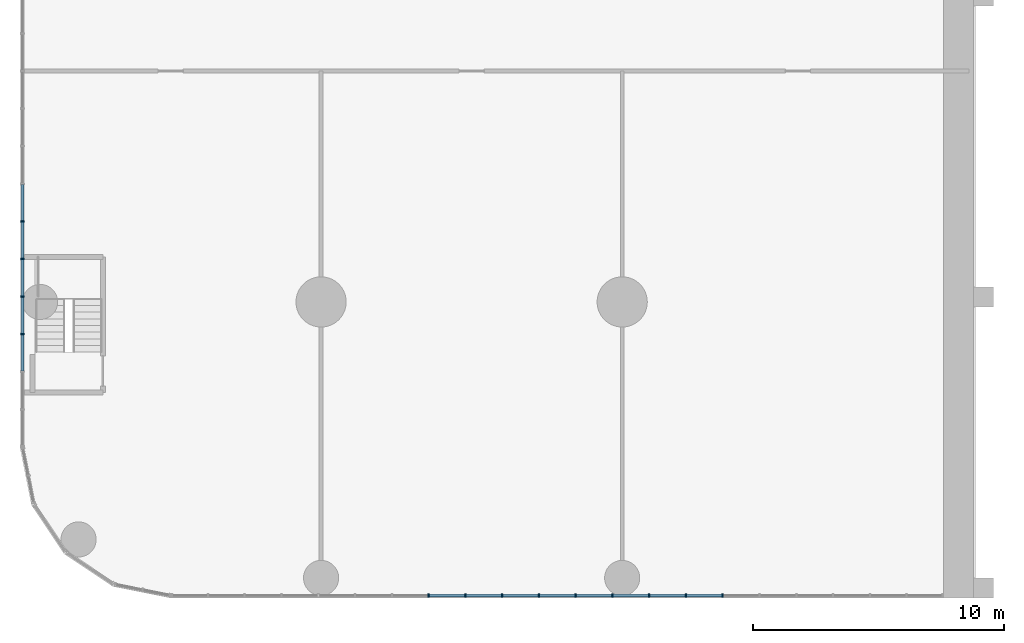
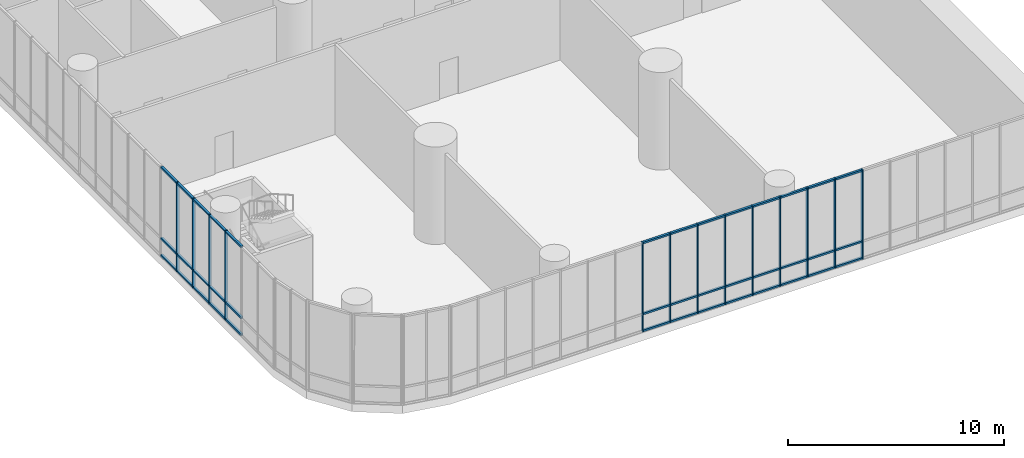
# One storey, part 3 of 28: 52 members, 2 elements without a shape of their own.
"""IFC4 building model written with IfcOpenShell, lengths in metres."""

from ifc_helpers import new_model, si_unit, direction, frame, origin, origin_2d, place, context, subcontext, project, spatial, rectangle, extrude, material, layer, layer_set, material_profile, profile_set, type_object, element, aggregate, save


model = new_model("IFC4")

# Units and contexts
model_context = context("Model", 3, precision=1e-05, world=origin(), true_north=direction((0.0, 1.0)))
body_context = subcontext(model_context, "Body", "Model", "MODEL_VIEW")
ifc_project = project(units=[si_unit("LENGTHUNIT", "METRE"), si_unit("AREAUNIT", "SQUARE_METRE"), si_unit("VOLUMEUNIT", "CUBIC_METRE"), si_unit("PLANEANGLEUNIT", "RADIAN"), si_unit("MASSUNIT", "GRAM", prefix="KILO")], contexts=[model_context])

# Site, building, storey
site_placement = place(None, origin())
site = spatial("IfcSite", under=ifc_project, at=site_placement, CompositionType="ELEMENT")
building_placement = place(site_placement, origin())
building = spatial("IfcBuilding", under=site, at=building_placement, Name="Torana Hotel and Residences", CompositionType="ELEMENT")
storey_placement = place(building_placement, frame((0.0, 0.0, 7.0)))
storey = spatial("IfcBuildingStorey", under=building, at=storey_placement, Name="L01", CompositionType="ELEMENT", Elevation=7.0)

# Curtain wall, members
ifc_material_1 = material(Name="Dark anodised aluminium", Category="aluminium")
ifc_layer = layer(ifc_material_1, 0.14990234375)
ifc_layer_set = layer_set([ifc_layer], Name="CW5 PODIUM UPPER UNITISED CURTAIN WALL")
curtain_wall_type = type_object("IfcCurtainWallType", Name="CW5 PODIUM UPPER UNITISED CURTAIN WALL", PredefinedType="NOTDEFINED", material=ifc_layer_set)
curtain_wall_1_placement = place(storey_placement, origin())
curtain_wall_1 = element("IfcCurtainWall", 1, at=curtain_wall_1_placement, inside=storey, type_object=curtain_wall_type, Name="Curtain wall CW5 L01 e0.0", PredefinedType="NOTDEFINED")
ifc_material_2 = material(Name="Dark anodised aluminium", Category="aluminium")
ifc_material_profile_1 = material_profile(ifc_material_2, rectangle(XDim=0.14990234375, YDim=0.06005859375, at=origin_2d()), Name="CW5 MULLION 60x150")
ifc_profile_set_1 = profile_set([ifc_material_profile_1], Name="Dark anodised aluminium")
member_type_1 = type_object("IfcMemberType", Name="CW5 MULLION 60x150", PredefinedType="MULLION", material=ifc_profile_set_1)
member_1_placement = place(storey_placement, frame((-31.717041015625, -39.89990234375, 0.0), z_axis=(0.0, 0.0, 1.0), x_axis=(0.0, 1.0, 0.0)))
member_1 = element("IfcMember", 2, at=member_1_placement, type_object=member_type_1, Name="CW5 mullion 8", PredefinedType="MULLION", context=body_context, shape_type="SweptSolid", body=[
    extrude(rectangle(XDim=0.14990234375, YDim=0.06005859375, at=origin_2d()), origin(), (0.0, 0.0, 1.0), 5.050048828125),
])
member_2_placement = place(storey_placement, frame((-30.25146484375, -39.89990234375, 0.0), z_axis=(0.0, 0.0, 1.0), x_axis=(0.0, 1.0, 0.0)))
member_2 = element("IfcMember", 3, at=member_2_placement, type_object=member_type_1, Name="CW5 mullion 9", PredefinedType="MULLION", context=body_context, shape_type="SweptSolid", body=[
    extrude(rectangle(XDim=0.14990234375, YDim=0.06005859375, at=origin_2d()), origin(), (0.0, 0.0, 1.0), 5.050048828125),
])
member_3_placement = place(storey_placement, frame((-28.785888671875, -39.89990234375, 0.0), z_axis=(0.0, 0.0, 1.0), x_axis=(0.0, 1.0, 0.0)))
member_3 = element("IfcMember", 4, at=member_3_placement, type_object=member_type_1, Name="CW5 mullion 10", PredefinedType="MULLION", context=body_context, shape_type="SweptSolid", body=[
    extrude(rectangle(XDim=0.14990234375, YDim=0.06005859375, at=origin_2d()), origin(), (0.0, 0.0, 1.0), 5.050048828125),
])
member_4_placement = place(storey_placement, frame((-27.320556640625, -39.89990234375, 0.0), z_axis=(0.0, 0.0, 1.0), x_axis=(0.0, 1.0, 0.0)))
member_4 = element("IfcMember", 5, at=member_4_placement, type_object=member_type_1, Name="CW5 mullion 11", PredefinedType="MULLION", context=body_context, shape_type="SweptSolid", body=[
    extrude(rectangle(XDim=0.14990234375, YDim=0.06005859375, at=origin_2d()), origin(), (0.0, 0.0, 1.0), 5.050048828125),
])
member_5_placement = place(storey_placement, frame((-25.85498046875, -39.89990234375, 0.0), z_axis=(0.0, 0.0, 1.0), x_axis=(0.0, 1.0, 0.0)))
member_5 = element("IfcMember", 6, at=member_5_placement, type_object=member_type_1, Name="CW5 mullion 12", PredefinedType="MULLION", context=body_context, shape_type="SweptSolid", body=[
    extrude(rectangle(XDim=0.14990234375, YDim=0.06005859375, at=origin_2d()), origin(), (0.0, 0.0, 1.0), 5.050048828125),
])
member_6_placement = place(storey_placement, frame((-24.389404296875, -39.89990234375, 0.0), z_axis=(0.0, 0.0, 1.0), x_axis=(0.0, 1.0, 0.0)))
member_6 = element("IfcMember", 7, at=member_6_placement, type_object=member_type_1, Name="CW5 mullion 13", PredefinedType="MULLION", context=body_context, shape_type="SweptSolid", body=[
    extrude(rectangle(XDim=0.14990234375, YDim=0.06005859375, at=origin_2d()), origin(), (0.0, 0.0, 1.0), 5.050048828125),
])
member_7_placement = place(storey_placement, frame((-22.924072265625, -39.89990234375, 0.0), z_axis=(0.0, 0.0, 1.0), x_axis=(0.0, 1.0, 0.0)))
member_7 = element("IfcMember", 8, at=member_7_placement, type_object=member_type_1, Name="CW5 mullion 14", PredefinedType="MULLION", context=body_context, shape_type="SweptSolid", body=[
    extrude(rectangle(XDim=0.14990234375, YDim=0.06005859375, at=origin_2d()), origin(), (0.0, 0.0, 1.0), 5.050048828125),
])
member_8_placement = place(storey_placement, frame((-21.45849609375, -39.89990234375, 0.0), z_axis=(0.0, 0.0, 1.0), x_axis=(0.0, 1.0, 0.0)))
member_8 = element("IfcMember", 9, at=member_8_placement, type_object=member_type_1, Name="CW5 mullion 15", PredefinedType="MULLION", context=body_context, shape_type="SweptSolid", body=[
    extrude(rectangle(XDim=0.14990234375, YDim=0.06005859375, at=origin_2d()), origin(), (0.0, 0.0, 1.0), 5.050048828125),
])
member_9_placement = place(storey_placement, frame((-19.992919921875, -39.89990234375, 0.0), z_axis=(0.0, 0.0, 1.0), x_axis=(0.0, 1.0, 0.0)))
member_9 = element("IfcMember", 10, at=member_9_placement, type_object=member_type_1, Name="CW5 mullion 16", PredefinedType="MULLION", context=body_context, shape_type="SweptSolid", body=[
    extrude(rectangle(XDim=0.14990234375, YDim=0.06005859375, at=origin_2d()), origin(), (0.0, 0.0, 1.0), 5.050048828125),
])

curtain_wall_2_placement = place(storey_placement, origin())
curtain_wall_2 = element("IfcCurtainWall", 11, at=curtain_wall_2_placement, inside=storey, type_object=curtain_wall_type, Name="Curtain wall CW5 L01 e0.7", PredefinedType="NOTDEFINED")
member_10_placement = place(storey_placement, frame((-47.89990234375, -24.98779296875, 0.0), z_axis=(0.0, 0.0, 1.0), x_axis=(1.0, 0.0, 0.0)))
member_10 = element("IfcMember", 12, at=member_10_placement, type_object=member_type_1, Name="CW5 mullion 19", PredefinedType="MULLION", context=body_context, shape_type="SweptSolid", body=[
    extrude(rectangle(XDim=0.14990234375, YDim=0.06005859375, at=origin_2d()), origin(), (0.0, 0.0, 1.0), 5.050048828125),
])
member_11_placement = place(storey_placement, frame((-47.89990234375, -26.485595703125, 0.0), z_axis=(0.0, 0.0, 1.0), x_axis=(1.0, 0.0, 0.0)))
member_11 = element("IfcMember", 13, at=member_11_placement, type_object=member_type_1, Name="CW5 mullion 20", PredefinedType="MULLION", context=body_context, shape_type="SweptSolid", body=[
    extrude(rectangle(XDim=0.14990234375, YDim=0.06005859375, at=origin_2d()), origin(), (0.0, 0.0, 1.0), 5.050048828125),
])
member_12_placement = place(storey_placement, frame((-47.89990234375, -27.983642578125, 0.0), z_axis=(0.0, 0.0, 1.0), x_axis=(1.0, 0.0, 0.0)))
member_12 = element("IfcMember", 14, at=member_12_placement, type_object=member_type_1, Name="CW5 mullion 21", PredefinedType="MULLION", context=body_context, shape_type="SweptSolid", body=[
    extrude(rectangle(XDim=0.14990234375, YDim=0.06005859375, at=origin_2d()), origin(), (0.0, 0.0, 1.0), 5.050048828125),
])
member_13_placement = place(storey_placement, frame((-47.89990234375, -29.4814453125, 0.0), z_axis=(0.0, 0.0, 1.0), x_axis=(1.0, 0.0, 0.0)))
member_13 = element("IfcMember", 15, at=member_13_placement, type_object=member_type_1, Name="CW5 mullion 22", PredefinedType="MULLION", context=body_context, shape_type="SweptSolid", body=[
    extrude(rectangle(XDim=0.14990234375, YDim=0.06005859375, at=origin_2d()), origin(), (0.0, 0.0, 1.0), 5.050048828125),
])

# Member
ifc_material_3 = material(Name="Dark anodised aluminium", Category="aluminium")
ifc_material_profile_2 = material_profile(ifc_material_3, rectangle(XDim=0.1201171875, YDim=0.10009765625, at=origin_2d()), Name="CW5 TRANSOM 120x100")
ifc_profile_set_2 = profile_set([ifc_material_profile_2], Name="Dark anodised aluminium")
member_type_2 = type_object("IfcMemberType", Name="CW5 TRANSOM 120x100", PredefinedType="USERDEFINED", material=ifc_profile_set_2)
member_14_placement = place(storey_placement, frame((-31.68701171875, -39.89990234375, 0.050048828125), z_axis=(1.0, 0.0, 0.0), x_axis=(0.0, 1.0, 0.0)))
member_14 = element("IfcMember", 16, at=member_14_placement, type_object=member_type_2, Name="CW5 transom 8.1", ObjectType="TRANSOM", PredefinedType="USERDEFINED", context=body_context, shape_type="SweptSolid", body=[
    extrude(rectangle(XDim=0.1201171875, YDim=0.10009765625, at=origin_2d()), origin(), (0.0, 0.0, 1.0), 1.405517578125),
])

member_15_placement = place(storey_placement, frame((-31.68701171875, -39.89990234375, 1.0), z_axis=(1.0, 0.0, 0.0), x_axis=(0.0, 1.0, 0.0)))
member_15 = element("IfcMember", 17, at=member_15_placement, type_object=member_type_2, Name="CW5 transom 8.2", ObjectType="TRANSOM", PredefinedType="USERDEFINED", context=body_context, shape_type="SweptSolid", body=[
    extrude(rectangle(XDim=0.1201171875, YDim=0.10009765625, at=origin_2d()), origin(), (0.0, 0.0, 1.0), 1.405517578125),
])

member_16_placement = place(storey_placement, frame((-31.68701171875, -39.89990234375, 5.0), z_axis=(1.0, 0.0, 0.0), x_axis=(0.0, 1.0, 0.0)))
member_16 = element("IfcMember", 18, at=member_16_placement, type_object=member_type_2, Name="CW5 transom 8.3", ObjectType="TRANSOM", PredefinedType="USERDEFINED", context=body_context, shape_type="SweptSolid", body=[
    extrude(rectangle(XDim=0.1201171875, YDim=0.10009765625, at=origin_2d()), origin(), (0.0, 0.0, 1.0), 1.405517578125),
])

member_17_placement = place(storey_placement, frame((-30.221435546875, -39.89990234375, 0.050048828125), z_axis=(1.0, 0.0, 0.0), x_axis=(0.0, 1.0, 0.0)))
member_17 = element("IfcMember", 19, at=member_17_placement, type_object=member_type_2, Name="CW5 transom 9.1", ObjectType="TRANSOM", PredefinedType="USERDEFINED", context=body_context, shape_type="SweptSolid", body=[
    extrude(rectangle(XDim=0.1201171875, YDim=0.10009765625, at=origin_2d()), origin(), (0.0, 0.0, 1.0), 1.405517578125),
])

member_18_placement = place(storey_placement, frame((-30.221435546875, -39.89990234375, 1.0), z_axis=(1.0, 0.0, 0.0), x_axis=(0.0, 1.0, 0.0)))
member_18 = element("IfcMember", 20, at=member_18_placement, type_object=member_type_2, Name="CW5 transom 9.2", ObjectType="TRANSOM", PredefinedType="USERDEFINED", context=body_context, shape_type="SweptSolid", body=[
    extrude(rectangle(XDim=0.1201171875, YDim=0.10009765625, at=origin_2d()), origin(), (0.0, 0.0, 1.0), 1.405517578125),
])

member_19_placement = place(storey_placement, frame((-30.221435546875, -39.89990234375, 5.0), z_axis=(1.0, 0.0, 0.0), x_axis=(0.0, 1.0, 0.0)))
member_19 = element("IfcMember", 21, at=member_19_placement, type_object=member_type_2, Name="CW5 transom 9.3", ObjectType="TRANSOM", PredefinedType="USERDEFINED", context=body_context, shape_type="SweptSolid", body=[
    extrude(rectangle(XDim=0.1201171875, YDim=0.10009765625, at=origin_2d()), origin(), (0.0, 0.0, 1.0), 1.405517578125),
])

member_20_placement = place(storey_placement, frame((-28.755859375, -39.89990234375, 0.050048828125), z_axis=(1.0, 0.0, 0.0), x_axis=(0.0, 1.0, 0.0)))
member_20 = element("IfcMember", 22, at=member_20_placement, type_object=member_type_2, Name="CW5 transom 10.1", ObjectType="TRANSOM", PredefinedType="USERDEFINED", context=body_context, shape_type="SweptSolid", body=[
    extrude(rectangle(XDim=0.1201171875, YDim=0.10009765625, at=origin_2d()), origin(), (0.0, 0.0, 1.0), 1.405517578125),
])

member_21_placement = place(storey_placement, frame((-28.755859375, -39.89990234375, 1.0), z_axis=(1.0, 0.0, 0.0), x_axis=(0.0, 1.0, 0.0)))
member_21 = element("IfcMember", 23, at=member_21_placement, type_object=member_type_2, Name="CW5 transom 10.2", ObjectType="TRANSOM", PredefinedType="USERDEFINED", context=body_context, shape_type="SweptSolid", body=[
    extrude(rectangle(XDim=0.1201171875, YDim=0.10009765625, at=origin_2d()), origin(), (0.0, 0.0, 1.0), 1.405517578125),
])

member_22_placement = place(storey_placement, frame((-28.755859375, -39.89990234375, 5.0), z_axis=(1.0, 0.0, 0.0), x_axis=(0.0, 1.0, 0.0)))
member_22 = element("IfcMember", 24, at=member_22_placement, type_object=member_type_2, Name="CW5 transom 10.3", ObjectType="TRANSOM", PredefinedType="USERDEFINED", context=body_context, shape_type="SweptSolid", body=[
    extrude(rectangle(XDim=0.1201171875, YDim=0.10009765625, at=origin_2d()), origin(), (0.0, 0.0, 1.0), 1.405517578125),
])

member_23_placement = place(storey_placement, frame((-27.29052734375, -39.89990234375, 0.050048828125), z_axis=(1.0, 0.0, 0.0), x_axis=(0.0, 1.0, 0.0)))
member_23 = element("IfcMember", 25, at=member_23_placement, type_object=member_type_2, Name="CW5 transom 11.1", ObjectType="TRANSOM", PredefinedType="USERDEFINED", context=body_context, shape_type="SweptSolid", body=[
    extrude(rectangle(XDim=0.1201171875, YDim=0.10009765625, at=origin_2d()), origin(), (0.0, 0.0, 1.0), 1.405517578125),
])

member_24_placement = place(storey_placement, frame((-27.29052734375, -39.89990234375, 1.0), z_axis=(1.0, 0.0, 0.0), x_axis=(0.0, 1.0, 0.0)))
member_24 = element("IfcMember", 26, at=member_24_placement, type_object=member_type_2, Name="CW5 transom 11.2", ObjectType="TRANSOM", PredefinedType="USERDEFINED", context=body_context, shape_type="SweptSolid", body=[
    extrude(rectangle(XDim=0.1201171875, YDim=0.10009765625, at=origin_2d()), origin(), (0.0, 0.0, 1.0), 1.405517578125),
])

member_25_placement = place(storey_placement, frame((-27.29052734375, -39.89990234375, 5.0), z_axis=(1.0, 0.0, 0.0), x_axis=(0.0, 1.0, 0.0)))
member_25 = element("IfcMember", 27, at=member_25_placement, type_object=member_type_2, Name="CW5 transom 11.3", ObjectType="TRANSOM", PredefinedType="USERDEFINED", context=body_context, shape_type="SweptSolid", body=[
    extrude(rectangle(XDim=0.1201171875, YDim=0.10009765625, at=origin_2d()), origin(), (0.0, 0.0, 1.0), 1.405517578125),
])

member_26_placement = place(storey_placement, frame((-25.824951171875, -39.89990234375, 0.050048828125), z_axis=(1.0, 0.0, 0.0), x_axis=(0.0, 1.0, 0.0)))
member_26 = element("IfcMember", 28, at=member_26_placement, type_object=member_type_2, Name="CW5 transom 12.1", ObjectType="TRANSOM", PredefinedType="USERDEFINED", context=body_context, shape_type="SweptSolid", body=[
    extrude(rectangle(XDim=0.1201171875, YDim=0.10009765625, at=origin_2d()), origin(), (0.0, 0.0, 1.0), 1.405517578125),
])

member_27_placement = place(storey_placement, frame((-25.824951171875, -39.89990234375, 1.0), z_axis=(1.0, 0.0, 0.0), x_axis=(0.0, 1.0, 0.0)))
member_27 = element("IfcMember", 29, at=member_27_placement, type_object=member_type_2, Name="CW5 transom 12.2", ObjectType="TRANSOM", PredefinedType="USERDEFINED", context=body_context, shape_type="SweptSolid", body=[
    extrude(rectangle(XDim=0.1201171875, YDim=0.10009765625, at=origin_2d()), origin(), (0.0, 0.0, 1.0), 1.405517578125),
])

member_28_placement = place(storey_placement, frame((-25.824951171875, -39.89990234375, 5.0), z_axis=(1.0, 0.0, 0.0), x_axis=(0.0, 1.0, 0.0)))
member_28 = element("IfcMember", 30, at=member_28_placement, type_object=member_type_2, Name="CW5 transom 12.3", ObjectType="TRANSOM", PredefinedType="USERDEFINED", context=body_context, shape_type="SweptSolid", body=[
    extrude(rectangle(XDim=0.1201171875, YDim=0.10009765625, at=origin_2d()), origin(), (0.0, 0.0, 1.0), 1.405517578125),
])

member_29_placement = place(storey_placement, frame((-24.359375, -39.89990234375, 0.050048828125), z_axis=(1.0, 0.0, 0.0), x_axis=(0.0, 1.0, 0.0)))
member_29 = element("IfcMember", 31, at=member_29_placement, type_object=member_type_2, Name="CW5 transom 13.1", ObjectType="TRANSOM", PredefinedType="USERDEFINED", context=body_context, shape_type="SweptSolid", body=[
    extrude(rectangle(XDim=0.1201171875, YDim=0.10009765625, at=origin_2d()), origin(), (0.0, 0.0, 1.0), 1.405517578125),
])

member_30_placement = place(storey_placement, frame((-24.359375, -39.89990234375, 1.0), z_axis=(1.0, 0.0, 0.0), x_axis=(0.0, 1.0, 0.0)))
member_30 = element("IfcMember", 32, at=member_30_placement, type_object=member_type_2, Name="CW5 transom 13.2", ObjectType="TRANSOM", PredefinedType="USERDEFINED", context=body_context, shape_type="SweptSolid", body=[
    extrude(rectangle(XDim=0.1201171875, YDim=0.10009765625, at=origin_2d()), origin(), (0.0, 0.0, 1.0), 1.405517578125),
])

member_31_placement = place(storey_placement, frame((-24.359375, -39.89990234375, 5.0), z_axis=(1.0, 0.0, 0.0), x_axis=(0.0, 1.0, 0.0)))
member_31 = element("IfcMember", 33, at=member_31_placement, type_object=member_type_2, Name="CW5 transom 13.3", ObjectType="TRANSOM", PredefinedType="USERDEFINED", context=body_context, shape_type="SweptSolid", body=[
    extrude(rectangle(XDim=0.1201171875, YDim=0.10009765625, at=origin_2d()), origin(), (0.0, 0.0, 1.0), 1.405517578125),
])

member_32_placement = place(storey_placement, frame((-22.89404296875, -39.89990234375, 0.050048828125), z_axis=(1.0, 0.0, 0.0), x_axis=(0.0, 1.0, 0.0)))
member_32 = element("IfcMember", 34, at=member_32_placement, type_object=member_type_2, Name="CW5 transom 14.1", ObjectType="TRANSOM", PredefinedType="USERDEFINED", context=body_context, shape_type="SweptSolid", body=[
    extrude(rectangle(XDim=0.1201171875, YDim=0.10009765625, at=origin_2d()), origin(), (0.0, 0.0, 1.0), 1.405517578125),
])

member_33_placement = place(storey_placement, frame((-22.89404296875, -39.89990234375, 1.0), z_axis=(1.0, 0.0, 0.0), x_axis=(0.0, 1.0, 0.0)))
member_33 = element("IfcMember", 35, at=member_33_placement, type_object=member_type_2, Name="CW5 transom 14.2", ObjectType="TRANSOM", PredefinedType="USERDEFINED", context=body_context, shape_type="SweptSolid", body=[
    extrude(rectangle(XDim=0.1201171875, YDim=0.10009765625, at=origin_2d()), origin(), (0.0, 0.0, 1.0), 1.405517578125),
])

member_34_placement = place(storey_placement, frame((-22.89404296875, -39.89990234375, 5.0), z_axis=(1.0, 0.0, 0.0), x_axis=(0.0, 1.0, 0.0)))
member_34 = element("IfcMember", 36, at=member_34_placement, type_object=member_type_2, Name="CW5 transom 14.3", ObjectType="TRANSOM", PredefinedType="USERDEFINED", context=body_context, shape_type="SweptSolid", body=[
    extrude(rectangle(XDim=0.1201171875, YDim=0.10009765625, at=origin_2d()), origin(), (0.0, 0.0, 1.0), 1.405517578125),
])

member_35_placement = place(storey_placement, frame((-21.428466796875, -39.89990234375, 0.050048828125), z_axis=(1.0, 0.0, 0.0), x_axis=(0.0, 1.0, 0.0)))
member_35 = element("IfcMember", 37, at=member_35_placement, type_object=member_type_2, Name="CW5 transom 15.1", ObjectType="TRANSOM", PredefinedType="USERDEFINED", context=body_context, shape_type="SweptSolid", body=[
    extrude(rectangle(XDim=0.1201171875, YDim=0.10009765625, at=origin_2d()), origin(), (0.0, 0.0, 1.0), 1.405517578125),
])

member_36_placement = place(storey_placement, frame((-21.428466796875, -39.89990234375, 1.0), z_axis=(1.0, 0.0, 0.0), x_axis=(0.0, 1.0, 0.0)))
member_36 = element("IfcMember", 38, at=member_36_placement, type_object=member_type_2, Name="CW5 transom 15.2", ObjectType="TRANSOM", PredefinedType="USERDEFINED", context=body_context, shape_type="SweptSolid", body=[
    extrude(rectangle(XDim=0.1201171875, YDim=0.10009765625, at=origin_2d()), origin(), (0.0, 0.0, 1.0), 1.405517578125),
])

member_37_placement = place(storey_placement, frame((-21.428466796875, -39.89990234375, 5.0), z_axis=(1.0, 0.0, 0.0), x_axis=(0.0, 1.0, 0.0)))
member_37 = element("IfcMember", 39, at=member_37_placement, type_object=member_type_2, Name="CW5 transom 15.3", ObjectType="TRANSOM", PredefinedType="USERDEFINED", context=body_context, shape_type="SweptSolid", body=[
    extrude(rectangle(XDim=0.1201171875, YDim=0.10009765625, at=origin_2d()), origin(), (0.0, 0.0, 1.0), 1.405517578125),
])

aggregate(curtain_wall_1, [member_1, member_2, member_3, member_4, member_5, member_6, member_7, member_8, member_9, member_14, member_15, member_16, member_17, member_18, member_19, member_20, member_21, member_22, member_23, member_24, member_25, member_26, member_27, member_28, member_29, member_30, member_31, member_32, member_33, member_34, member_35, member_36, member_37])

member_38_placement = place(storey_placement, frame((-47.89990234375, -23.519775390625, 0.050048828125), z_axis=(0.0, -1.0, 0.0), x_axis=(1.0, 0.0, 0.0)))
member_38 = element("IfcMember", 40, at=member_38_placement, type_object=member_type_2, Name="CW5 transom 18.1", ObjectType="TRANSOM", PredefinedType="USERDEFINED", context=body_context, shape_type="SweptSolid", body=[
    extrude(rectangle(XDim=0.1201171875, YDim=0.10009765625, at=origin_2d()), origin(), (0.0, 0.0, 1.0), 1.43798828125),
])

member_39_placement = place(storey_placement, frame((-47.89990234375, -23.519775390625, 1.0), z_axis=(0.0, -1.0, 0.0), x_axis=(1.0, 0.0, 0.0)))
member_39 = element("IfcMember", 41, at=member_39_placement, type_object=member_type_2, Name="CW5 transom 18.2", ObjectType="TRANSOM", PredefinedType="USERDEFINED", context=body_context, shape_type="SweptSolid", body=[
    extrude(rectangle(XDim=0.1201171875, YDim=0.10009765625, at=origin_2d()), origin(), (0.0, 0.0, 1.0), 1.43798828125),
])

member_40_placement = place(storey_placement, frame((-47.89990234375, -23.519775390625, 5.0), z_axis=(0.0, -1.0, 0.0), x_axis=(1.0, 0.0, 0.0)))
member_40 = element("IfcMember", 42, at=member_40_placement, type_object=member_type_2, Name="CW5 transom 18.3", ObjectType="TRANSOM", PredefinedType="USERDEFINED", context=body_context, shape_type="SweptSolid", body=[
    extrude(rectangle(XDim=0.1201171875, YDim=0.10009765625, at=origin_2d()), origin(), (0.0, 0.0, 1.0), 1.43798828125),
])

member_41_placement = place(storey_placement, frame((-47.89990234375, -25.017578125, 0.050048828125), z_axis=(0.0, -1.0, 0.0), x_axis=(1.0, 0.0, 0.0)))
member_41 = element("IfcMember", 43, at=member_41_placement, type_object=member_type_2, Name="CW5 transom 19.1", ObjectType="TRANSOM", PredefinedType="USERDEFINED", context=body_context, shape_type="SweptSolid", body=[
    extrude(rectangle(XDim=0.1201171875, YDim=0.10009765625, at=origin_2d()), origin(), (0.0, 0.0, 1.0), 1.43798828125),
])

member_42_placement = place(storey_placement, frame((-47.89990234375, -25.017578125, 1.0), z_axis=(0.0, -1.0, 0.0), x_axis=(1.0, 0.0, 0.0)))
member_42 = element("IfcMember", 44, at=member_42_placement, type_object=member_type_2, Name="CW5 transom 19.2", ObjectType="TRANSOM", PredefinedType="USERDEFINED", context=body_context, shape_type="SweptSolid", body=[
    extrude(rectangle(XDim=0.1201171875, YDim=0.10009765625, at=origin_2d()), origin(), (0.0, 0.0, 1.0), 1.43798828125),
])

member_43_placement = place(storey_placement, frame((-47.89990234375, -25.017578125, 5.0), z_axis=(0.0, -1.0, 0.0), x_axis=(1.0, 0.0, 0.0)))
member_43 = element("IfcMember", 45, at=member_43_placement, type_object=member_type_2, Name="CW5 transom 19.3", ObjectType="TRANSOM", PredefinedType="USERDEFINED", context=body_context, shape_type="SweptSolid", body=[
    extrude(rectangle(XDim=0.1201171875, YDim=0.10009765625, at=origin_2d()), origin(), (0.0, 0.0, 1.0), 1.43798828125),
])

member_44_placement = place(storey_placement, frame((-47.89990234375, -26.515625, 0.050048828125), z_axis=(0.0, -1.0, 0.0), x_axis=(1.0, 0.0, 0.0)))
member_44 = element("IfcMember", 46, at=member_44_placement, type_object=member_type_2, Name="CW5 transom 20.1", ObjectType="TRANSOM", PredefinedType="USERDEFINED", context=body_context, shape_type="SweptSolid", body=[
    extrude(rectangle(XDim=0.1201171875, YDim=0.10009765625, at=origin_2d()), origin(), (0.0, 0.0, 1.0), 1.43798828125),
])

member_45_placement = place(storey_placement, frame((-47.89990234375, -26.515625, 1.0), z_axis=(0.0, -1.0, 0.0), x_axis=(1.0, 0.0, 0.0)))
member_45 = element("IfcMember", 47, at=member_45_placement, type_object=member_type_2, Name="CW5 transom 20.2", ObjectType="TRANSOM", PredefinedType="USERDEFINED", context=body_context, shape_type="SweptSolid", body=[
    extrude(rectangle(XDim=0.1201171875, YDim=0.10009765625, at=origin_2d()), origin(), (0.0, 0.0, 1.0), 1.43798828125),
])

member_46_placement = place(storey_placement, frame((-47.89990234375, -26.515625, 5.0), z_axis=(0.0, -1.0, 0.0), x_axis=(1.0, 0.0, 0.0)))
member_46 = element("IfcMember", 48, at=member_46_placement, type_object=member_type_2, Name="CW5 transom 20.3", ObjectType="TRANSOM", PredefinedType="USERDEFINED", context=body_context, shape_type="SweptSolid", body=[
    extrude(rectangle(XDim=0.1201171875, YDim=0.10009765625, at=origin_2d()), origin(), (0.0, 0.0, 1.0), 1.43798828125),
])

member_47_placement = place(storey_placement, frame((-47.89990234375, -28.013671875, 0.050048828125), z_axis=(0.0, -1.0, 0.0), x_axis=(1.0, 0.0, 0.0)))
member_47 = element("IfcMember", 49, at=member_47_placement, type_object=member_type_2, Name="CW5 transom 21.1", ObjectType="TRANSOM", PredefinedType="USERDEFINED", context=body_context, shape_type="SweptSolid", body=[
    extrude(rectangle(XDim=0.1201171875, YDim=0.10009765625, at=origin_2d()), origin(), (0.0, 0.0, 1.0), 1.43798828125),
])

member_48_placement = place(storey_placement, frame((-47.89990234375, -28.013671875, 1.0), z_axis=(0.0, -1.0, 0.0), x_axis=(1.0, 0.0, 0.0)))
member_48 = element("IfcMember", 50, at=member_48_placement, type_object=member_type_2, Name="CW5 transom 21.2", ObjectType="TRANSOM", PredefinedType="USERDEFINED", context=body_context, shape_type="SweptSolid", body=[
    extrude(rectangle(XDim=0.1201171875, YDim=0.10009765625, at=origin_2d()), origin(), (0.0, 0.0, 1.0), 1.43798828125),
])

member_49_placement = place(storey_placement, frame((-47.89990234375, -28.013671875, 5.0), z_axis=(0.0, -1.0, 0.0), x_axis=(1.0, 0.0, 0.0)))
member_49 = element("IfcMember", 51, at=member_49_placement, type_object=member_type_2, Name="CW5 transom 21.3", ObjectType="TRANSOM", PredefinedType="USERDEFINED", context=body_context, shape_type="SweptSolid", body=[
    extrude(rectangle(XDim=0.1201171875, YDim=0.10009765625, at=origin_2d()), origin(), (0.0, 0.0, 1.0), 1.43798828125),
])

member_50_placement = place(storey_placement, frame((-47.89990234375, -29.511474609375, 0.050048828125), z_axis=(0.0, -1.0, 0.0), x_axis=(1.0, 0.0, 0.0)))
member_50 = element("IfcMember", 52, at=member_50_placement, type_object=member_type_2, Name="CW5 transom 22.1", ObjectType="TRANSOM", PredefinedType="USERDEFINED", context=body_context, shape_type="SweptSolid", body=[
    extrude(rectangle(XDim=0.1201171875, YDim=0.10009765625, at=origin_2d()), origin(), (0.0, 0.0, 1.0), 1.43798828125),
])

member_51_placement = place(storey_placement, frame((-47.89990234375, -29.511474609375, 1.0), z_axis=(0.0, -1.0, 0.0), x_axis=(1.0, 0.0, 0.0)))
member_51 = element("IfcMember", 53, at=member_51_placement, type_object=member_type_2, Name="CW5 transom 22.2", ObjectType="TRANSOM", PredefinedType="USERDEFINED", context=body_context, shape_type="SweptSolid", body=[
    extrude(rectangle(XDim=0.1201171875, YDim=0.10009765625, at=origin_2d()), origin(), (0.0, 0.0, 1.0), 1.43798828125),
])

member_52_placement = place(storey_placement, frame((-47.89990234375, -29.511474609375, 5.0), z_axis=(0.0, -1.0, 0.0), x_axis=(1.0, 0.0, 0.0)))
member_52 = element("IfcMember", 54, at=member_52_placement, type_object=member_type_2, Name="CW5 transom 22.3", ObjectType="TRANSOM", PredefinedType="USERDEFINED", context=body_context, shape_type="SweptSolid", body=[
    extrude(rectangle(XDim=0.1201171875, YDim=0.10009765625, at=origin_2d()), origin(), (0.0, 0.0, 1.0), 1.43798828125),
])

aggregate(curtain_wall_2, [member_10, member_11, member_12, member_13, member_38, member_39, member_40, member_41, member_42, member_43, member_44, member_45, member_46, member_47, member_48, member_49, member_50, member_51, member_52])

save(model, "model.ifc")
